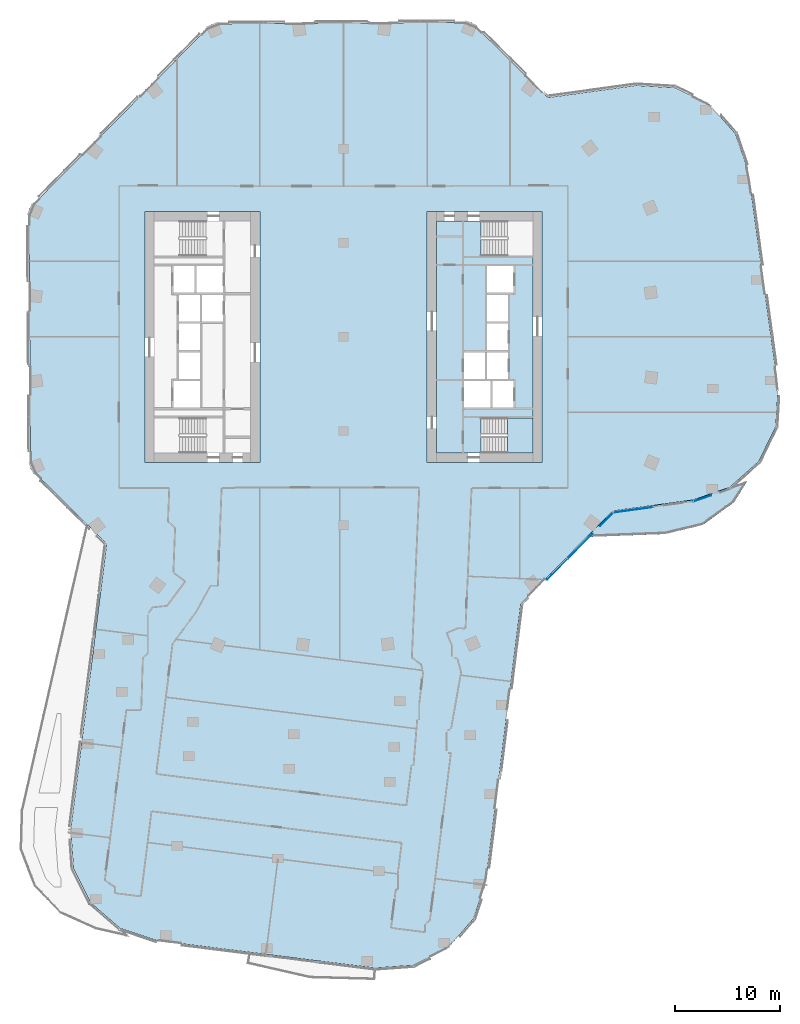
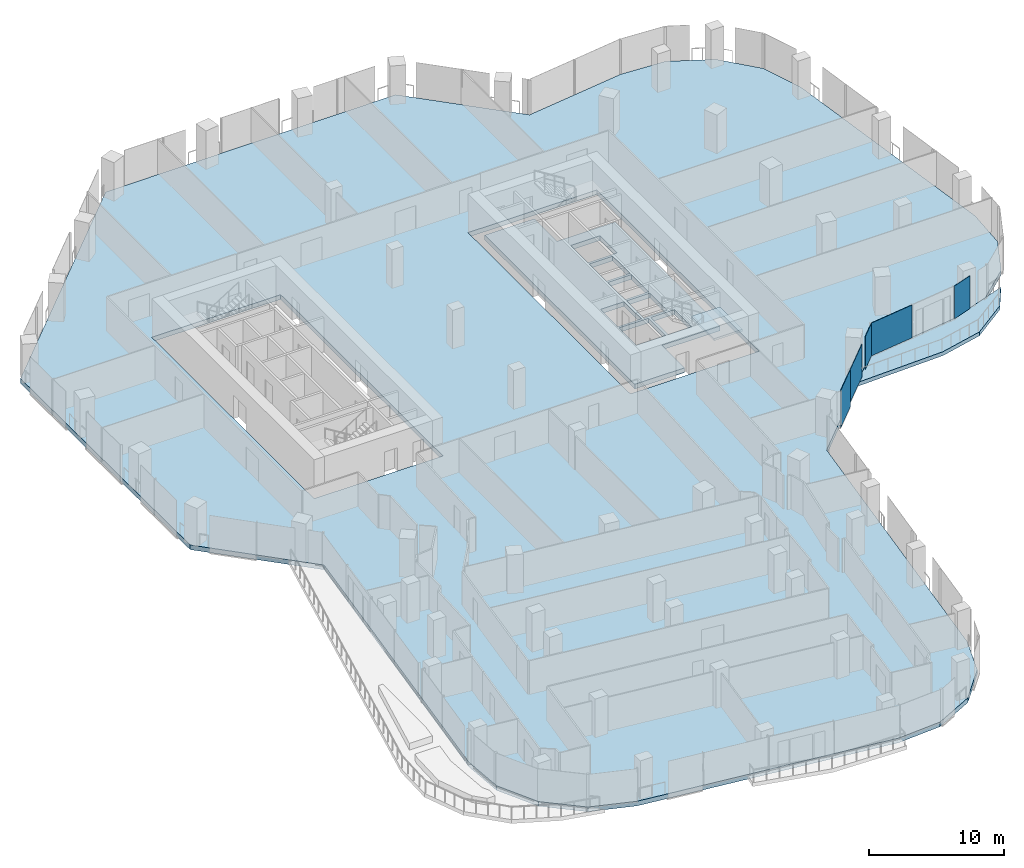
# One storey, part 16 of 29: 5 plates, 4 slabs, 4 elements without a shape of their own.
"""IFC4 building model written with IfcOpenShell, lengths in metres."""

from ifc_helpers import new_model, si_unit, direction, frame, origin, origin_2d, place, context, subcontext, project, spatial, polyline, rectangle, outline, extrude, material, layer, layer_set, type_object, element, aggregate, save


model = new_model("IFC4")

# Units and contexts
model_context = context("Model", 3, precision=1e-05, world=origin(), true_north=direction((0.0, 1.0)))
body_context = subcontext(model_context, "Body", "Model", "MODEL_VIEW")
ifc_project = project(units=[si_unit("LENGTHUNIT", "METRE"), si_unit("AREAUNIT", "SQUARE_METRE"), si_unit("VOLUMEUNIT", "CUBIC_METRE"), si_unit("PLANEANGLEUNIT", "RADIAN"), si_unit("MASSUNIT", "GRAM", prefix="KILO")], contexts=[model_context])

# Site, building, storey
site_placement = place(None, origin())
site = spatial("IfcSite", under=ifc_project, at=site_placement, CompositionType="ELEMENT")
building_placement = place(site_placement, origin())
building = spatial("IfcBuilding", under=site, at=building_placement, Name="Orlundy Tower", CompositionType="ELEMENT")
storey_placement = place(building_placement, frame((0.0, 0.0, 188.60009765625)))
storey = spatial("IfcBuildingStorey", under=building, at=storey_placement, Name="L49", CompositionType="ELEMENT", Elevation=188.60009765625)

# Curtain wall, plate
ifc_material_1 = material(Name="Aluminium bronze anodised", Category="aluminium")
curtain_wall_type = type_object("IfcCurtainWallType", Name="CW1 wall", PredefinedType="NOTDEFINED", material=ifc_material_1)
curtain_wall_1_placement = place(storey_placement, origin())
curtain_wall_1 = element("IfcCurtainWall", 1, at=curtain_wall_1_placement, inside=storey, type_object=curtain_wall_type, Name="CW1 run 015", PredefinedType="NOTDEFINED")
ifc_material_2 = material(Name="Tinted glass", Category="glass")
ifc_layer_1 = layer(ifc_material_2, 0.031982421875)
ifc_layer_set_1 = layer_set([ifc_layer_1], Name="CW1 glass panel 32")
plate_type = type_object("IfcPlateType", Name="CW1 glass panel 32", PredefinedType="CURTAIN_PANEL", material=ifc_layer_set_1)
plate_1_placement = place(storey_placement, frame((34.3330078125, -15.451416015625, 0.119873046875), z_axis=(0.0, 0.0, 1.0), x_axis=(-0.945034174317, -0.32697157273, 0.0)))
plate_1 = element("IfcPlate", 2, at=plate_1_placement, type_object=plate_type, Name="CW1 panel", PredefinedType="CURTAIN_PANEL", context=body_context, shape_type="SweptSolid", body=[
    extrude(rectangle(XDim=1.764892578125, YDim=0.031982421875, at=origin_2d()), origin(), (0.0, 0.0, 1.0), 2.9599609375),
])
aggregate(curtain_wall_1, [plate_1])

curtain_wall_2_placement = place(storey_placement, origin())
curtain_wall_2 = element("IfcCurtainWall", 3, at=curtain_wall_2_placement, inside=storey, type_object=curtain_wall_type, Name="CW1 run 016", PredefinedType="NOTDEFINED")
plate_2_placement = place(storey_placement, frame((27.6904296875, -16.544189453125, 0.119873046875), z_axis=(0.0, 0.0, 1.0), x_axis=(-0.990668435814, -0.13629398476, 0.0)))
plate_2 = element("IfcPlate", 4, at=plate_2_placement, type_object=plate_type, Name="CW1 panel", PredefinedType="CURTAIN_PANEL", context=body_context, shape_type="SweptSolid", body=[
    extrude(rectangle(XDim=3.811767578125, YDim=0.031982421875, at=origin_2d()), origin(), (0.0, 0.0, 1.0), 2.9599609375),
])
aggregate(curtain_wall_2, [plate_2])

# Curtain wall, plates
curtain_wall_3_placement = place(storey_placement, origin())
curtain_wall_3 = element("IfcCurtainWall", 5, at=curtain_wall_3_placement, inside=storey, type_object=curtain_wall_type, Name="CW1 run 017", PredefinedType="NOTDEFINED")
plate_3_placement = place(storey_placement, frame((25.166259765625, -17.44775390625, 0.119873046875), z_axis=(0.0, 0.0, 1.0), x_axis=(-0.702970467781, -0.711219038994, 0.0)))
plate_3 = element("IfcPlate", 6, at=plate_3_placement, type_object=plate_type, Name="CW1 panel", PredefinedType="CURTAIN_PANEL", context=body_context, shape_type="SweptSolid", body=[
    extrude(rectangle(XDim=1.810302734375, YDim=0.031982421875, at=origin_2d()), origin(), (0.0, 0.0, 1.0), 2.9599609375),
])
plate_4_placement = place(storey_placement, frame((22.641357421875, -20.002197265625, 0.119873046875), z_axis=(0.0, 0.0, 1.0), x_axis=(-0.702970467781, -0.711219038994, 0.0)))
plate_4 = element("IfcPlate", 7, at=plate_4_placement, type_object=plate_type, Name="CW1 panel", PredefinedType="CURTAIN_PANEL", context=body_context, shape_type="SweptSolid", body=[
    extrude(rectangle(XDim=3.33203125, YDim=0.031982421875, at=origin_2d()), origin(), (0.0, 0.0, 1.0), 2.9599609375),
])
plate_5_placement = place(storey_placement, frame((20.457275390625, -22.2119140625, -0.300048828125), z_axis=(0.0, 0.0, 1.0), x_axis=(-0.702970467781, -0.711219038994, 0.0)))
plate_5 = element("IfcPlate", 8, at=plate_5_placement, type_object=plate_type, Name="CW1 panel", PredefinedType="CURTAIN_PANEL", context=body_context, shape_type="SweptSolid", body=[
    extrude(rectangle(XDim=2.7822265625, YDim=0.031982421875, at=origin_2d()), origin(), (0.0, 0.0, 1.0), 3.3798828125),
])
aggregate(curtain_wall_3, [plate_3, plate_4, plate_5])

# Slab
ifc_material_3 = material(Name="Concrete C50/60", Category="concrete")
ifc_layer_2 = layer(ifc_material_3, 0.419921875)
ifc_layer_set_2 = layer_set([ifc_layer_2], Name="Core Floor Slab 420")
slab_type_1 = type_object("IfcSlabType", Name="Core Floor Slab 420", PredefinedType="FLOOR", material=ifc_layer_set_2)
slab_1_placement = place(storey_placement, frame((0.0, 0.0, -0.420166015625)))
element("IfcSlab", 9, at=slab_1_placement, inside=storey, type_object=slab_type_1, Name="Core floor E38", PredefinedType="FLOOR", context=body_context, shape_type="SweptSolid", body=[
    extrude(outline(polyline([(13.14501953125, 11.10009765625), (13.14501953125, 7.75), (18.10009765625, 7.75), (18.10009765625, -7.75), (13.14501953125, -7.75), (13.14501953125, -11.10009765625), (8.89990234375, -11.10009765625), (8.89990234375, 11.10009765625), (13.14501953125, 11.10009765625)]), holes=[polyline([(13.739990234375, 4.22509765625), (16.239990234375, 4.22509765625), (16.239990234375, 6.77490234375), (13.739990234375, 6.77490234375), (13.739990234375, 4.22509765625)]), polyline([(13.739990234375, 4.02490234375), (13.739990234375, 1.47509765625), (15.739990234375, 1.47509765625), (15.739990234375, 4.02490234375), (13.739990234375, 4.02490234375)]), polyline([(15.739990234375, 1.27490234375), (13.739990234375, 1.27490234375), (13.739990234375, -1.27490234375), (15.739990234375, -1.27490234375), (15.739990234375, 1.27490234375)]), polyline([(13.5400390625, -4.02490234375), (13.5400390625, -1.47509765625), (11.5400390625, -1.47509765625), (11.5400390625, -4.02490234375), (13.5400390625, -4.02490234375)]), polyline([(13.739990234375, -4.02490234375), (15.739990234375, -4.02490234375), (15.739990234375, -1.47509765625), (13.739990234375, -1.47509765625), (13.739990234375, -4.02490234375)]), polyline([(11.5400390625, -4.22509765625), (11.5400390625, -6.77490234375), (14.0400390625, -6.77490234375), (14.0400390625, -4.22509765625), (11.5400390625, -4.22509765625)]), polyline([(16.239990234375, -4.22509765625), (14.239990234375, -4.22509765625), (14.239990234375, -6.77490234375), (16.239990234375, -6.77490234375), (16.239990234375, -4.22509765625)])]), origin(), (0.0, 0.0, 1.0), 0.420166015625),
])

# Stair, slab
ifc_material_4 = material(Name="Concrete C50/60", Category="concrete")
stair_type = type_object("IfcStairType", Name="Exit Stair 20 risers", PredefinedType="HALF_TURN_STAIR", material=ifc_material_4)
stair_placement = place(storey_placement, origin())
stair = element("IfcStair", 10, at=stair_placement, inside=storey, type_object=stair_type, Name="L49 Exit Stair ST-E1", PredefinedType="HALF_TURN_STAIR")
ifc_material_5 = material(Name="Concrete C50/60", Category="concrete")
ifc_layer_3 = layer(ifc_material_5, 0.199951171875)
ifc_layer_set_3 = layer_set([ifc_layer_3], Name="Exit Stair Landing")
slab_type_2 = type_object("IfcSlabType", Name="Exit Stair Landing", PredefinedType="LANDING", material=ifc_layer_set_3)
slab_2_placement = place(storey_placement, frame((0.0, 0.0, 1.5498046875)))
slab_2 = element("IfcSlab", 11, at=slab_2_placement, type_object=slab_type_2, Name="ST-E1 landing 1", PredefinedType="LANDING", context=body_context, shape_type="SweptSolid", body=[
    extrude(outline(polyline([(15.659912109375, -11.10009765625), (18.10009765625, -11.10009765625), (18.10009765625, -7.75), (15.659912109375, -7.75), (15.659912109375, -11.10009765625)])), origin(), (0.0, 0.0, 1.0), 0.2001953125),
])
aggregate(stair, [slab_2])

# Slabs
ifc_material_6 = material(Name="Concrete C45/55", Category="concrete")
ifc_layer_4 = layer(ifc_material_6, 0.35009765625)
ifc_layer_set_4 = layer_set([ifc_layer_4], Name="TERRACE SLAB 350 C45/55")
slab_type_3 = type_object("IfcSlabType", Name="TERRACE SLAB 350 C45/55", PredefinedType="ROOF", material=ifc_layer_set_4)
slab_3_placement = place(storey_placement, frame((0.0, 0.0, -0.35009765625)))
element("IfcSlab", 12, at=slab_3_placement, inside=storey, type_object=slab_type_3, Name="Terrace slab L49-1", PredefinedType="ROOF", context=body_context, shape_type="SweptSolid", body=[
    extrude(outline(polyline([(23.26806640625, -19.134033203125), (25.72509765625, -16.64892578125), (33.43701171875, -15.587890625), (38.5869140625, -13.805908203125), (37.341064453125, -15.818115234375), (34.340087890625, -17.990966796875), (30.735107421875, -18.85205078125), (23.26806640625, -19.134033203125)])), origin(), (0.0, 0.0, 1.0), 0.35009765625),
])
ifc_material_7 = material(Name="Concrete C45/55", Category="concrete")
ifc_layer_5 = layer(ifc_material_7, 0.419921875)
ifc_layer_set_5 = layer_set([ifc_layer_5], Name="TRANSFER FLOOR SLAB 420 C45/55")
slab_type_4 = type_object("IfcSlabType", Name="TRANSFER FLOOR SLAB 420 C45/55", PredefinedType="FLOOR", material=ifc_layer_set_5)
slab_4_placement = place(storey_placement, frame((0.0, 0.0, -0.420166015625)))
element("IfcSlab", 13, at=slab_4_placement, inside=storey, type_object=slab_type_4, Name="Floor slab L49", PredefinedType="FLOOR", context=body_context, shape_type="SweptSolid", body=[
    extrude(outline(polyline([(-22.64697265625, -19.797119140625), (-29.927001953125, -12.60107421875), (-30.072021484375, 12.251953125), (-12.60107421875, 29.927001953125), (12.251953125, 30.072021484375), (19.531982421875, 22.8759765625), (27.985107421875, 24.0380859375), (31.68505859375, 23.818115234375), (35.01904296875, 22.197021484375), (37.47900390625, 19.425048828125), (38.69091796875, 15.922119140625), (41.552978515625, -4.882080078125), (41.33203125, -8.58203125), (39.7119140625, -11.916015625), (36.93994140625, -14.3759765625), (33.43701171875, -15.587890625), (25.72509765625, -16.64892578125), (16.947021484375, -25.530029296875), (13.60595703125, -52.10400390625), (12.43505859375, -55.62109375), (10.007080078125, -58.422119140625), (6.69189453125, -60.0810546875), (2.9951171875, -60.344970703125), (-17.841064453125, -57.72509765625), (-21.35791015625, -56.553955078125), (-24.158935546875, -54.1259765625), (-25.818115234375, -50.81201171875), (-26.08203125, -47.114013671875), (-22.64697265625, -19.797119140625)]), holes=[polyline([(-8.0, -12.0), (-8.0, 12.0), (-19.0, 12.0), (-19.0, -12.0), (-8.0, -12.0)]), polyline([(19.0, -12.0), (19.0, 12.0), (8.0, 12.0), (8.0, -12.0), (19.0, -12.0)])]), origin(), (0.0, 0.0, 1.0), 0.420166015625),
])

save(model, "model.ifc")
